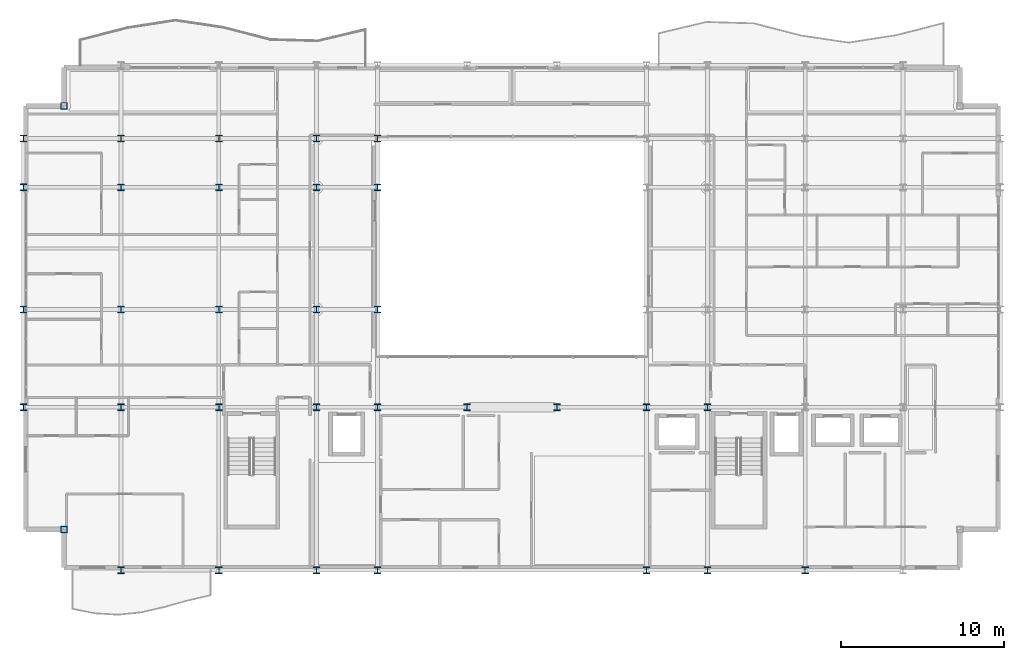
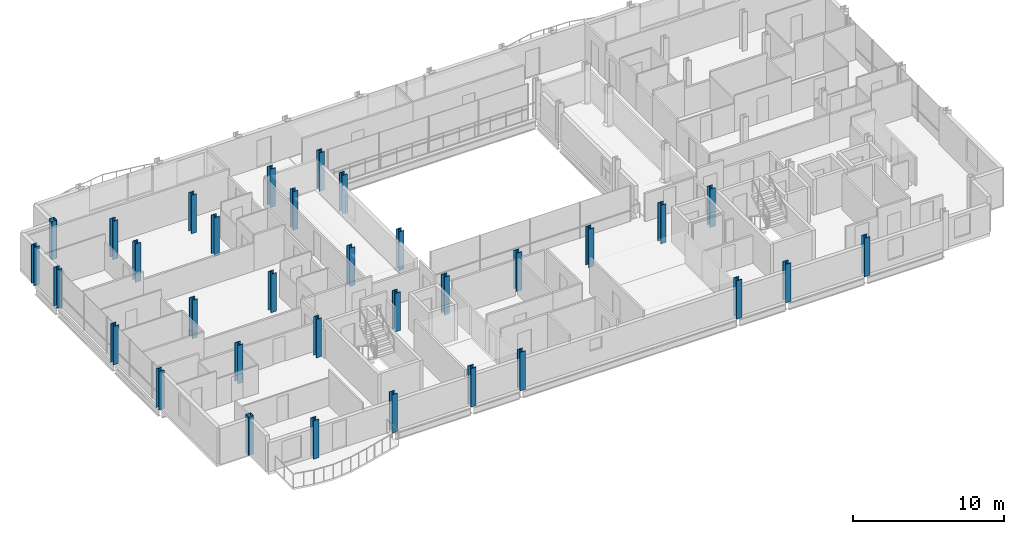
# One storey, part 1 of 41: 33 columns.
"""IFC4 building model written with IfcOpenShell, lengths in metres."""

from ifc_helpers import new_model, si_unit, direction, frame, origin, origin_2d, place, context, subcontext, project, spatial, hollow_rectangle, i_section, extrude, material, material_profile, profile_set, type_object, element, save


model = new_model("IFC4")

# Units and contexts
model_context = context("Model", 3, precision=1e-05, world=origin(), true_north=direction((0.0, 1.0)))
body_context = subcontext(model_context, "Body", "Model", "MODEL_VIEW")
ifc_project = project(units=[si_unit("LENGTHUNIT", "METRE"), si_unit("AREAUNIT", "SQUARE_METRE"), si_unit("VOLUMEUNIT", "CUBIC_METRE"), si_unit("PLANEANGLEUNIT", "RADIAN"), si_unit("MASSUNIT", "GRAM", prefix="KILO")], contexts=[model_context])

# Site, building, storey
site_placement = place(None, origin())
site = spatial("IfcSite", under=ifc_project, at=site_placement, CompositionType="ELEMENT")
building_placement = place(site_placement, origin())
building = spatial("IfcBuilding", under=site, at=building_placement, Name="Brevholm Reach", CompositionType="ELEMENT")
storey_placement = place(building_placement, frame((0.0, 0.0, 169.699951171875)))
storey = spatial("IfcBuildingStorey", under=building, at=storey_placement, Name="L51", CompositionType="ELEMENT", Elevation=169.699951171875)

# Columns
ifc_material_1 = material(Name="Structural Steel S460NH", Category="steel")
ifc_material_profile_1 = material_profile(ifc_material_1, hollow_rectangle(XDim=0.39990234375, YDim=0.39990234375, WallThickness=0.02001953125, InnerFilletRadius=0.011962890625, OuterFilletRadius=0.02392578125, at=origin_2d()), Name="SHS 400x400x20")
ifc_profile_set_1 = profile_set([ifc_material_profile_1], Name="Structural Steel S460NH")
column_type_1 = type_object("IfcColumnType", Name="COL-SHS2", PredefinedType="COLUMN", material=ifc_profile_set_1)
for number, where, z_axis, x_axis, name in (
    (1, (2.5, 2.5, 0.0), (0.0, 0.0, 1.0), (1.0, 0.0, 0.0), "L51 Column 05"),
    (2, (2.5, 28.5, 0.0), (0.0, 0.0, 1.0), (1.0, 0.0, 0.0), "L51 Column 06"),
):
    element("IfcColumn", number, at=place(storey_placement, frame(where, z_axis=z_axis, x_axis=x_axis)), inside=storey, type_object=column_type_1, Name=name, PredefinedType="COLUMN", context=body_context, shape_type="SweptSolid", body=[
        extrude(hollow_rectangle(XDim=0.39990234375, YDim=0.39990234375, WallThickness=0.02001953125, InnerFilletRadius=0.011962890625, OuterFilletRadius=0.02392578125, at=origin_2d()), origin(), (0.0, 0.0, 1.0), 3.10009765625),
    ])
ifc_material_2 = material(Name="Structural Steel S355J2", Category="steel")
ifc_material_profile_2 = material_profile(ifc_material_2, i_section(OverallWidth=0.406982421875, OverallDepth=0.4189453125, WebThickness=0.030517578125, FlangeThickness=0.04931640625, FilletRadius=0.01513671875, at=origin_2d()), Name="UKC 356x406x393")
ifc_profile_set_2 = profile_set([ifc_material_profile_2], Name="Structural Steel S355J2")
column_type_2 = type_object("IfcColumnType", Name="COL-UC4", PredefinedType="COLUMN", material=ifc_profile_set_2)
for number, where, z_axis, x_axis, name in (
    (3, (0.0, 10.0, 0.0), (0.0, 0.0, 1.0), (1.0, 0.0, 0.0), "L51 Column 01"),
    (4, (0.0, 16.0, 0.0), (0.0, 0.0, 1.0), (1.0, 0.0, 0.0), "L51 Column 02"),
    (5, (0.0, 23.5, 0.0), (0.0, 0.0, 1.0), (1.0, 0.0, 0.0), "L51 Column 03"),
    (6, (0.0, 26.5, 0.0), (0.0, 0.0, 1.0), (1.0, 0.0, 0.0), "L51 Column 04"),
    (7, (6.0, 0.0, 0.0), (0.0, 0.0, 1.0), (1.0, 0.0, 0.0), "L51 Column 07"),
    (8, (12.0, 0.0, 0.0), (0.0, 0.0, 1.0), (1.0, 0.0, 0.0), "L51 Column 13"),
    (9, (18.0, 0.0, 0.0), (0.0, 0.0, 1.0), (1.0, 0.0, 0.0), "L51 Column 19"),
    (10, (21.75, 0.0, 0.0), (0.0, 0.0, 1.0), (1.0, 0.0, 0.0), "L51 Column 25"),
    (11, (38.25, 0.0, 0.0), (0.0, 0.0, 1.0), (1.0, 0.0, 0.0), "L51 Column 35"),
    (12, (42.0, 0.0, 0.0), (0.0, 0.0, 1.0), (1.0, 0.0, 0.0), "L51 Column 41"),
    (13, (48.0, 0.0, 0.0), (0.0, 0.0, 1.0), (1.0, 0.0, 0.0), "L51 Column 47"),
):
    element("IfcColumn", number, at=place(storey_placement, frame(where, z_axis=z_axis, x_axis=x_axis)), inside=storey, type_object=column_type_2, Name=name, PredefinedType="COLUMN", context=body_context, shape_type="SweptSolid", body=[
        extrude(i_section(OverallWidth=0.406982421875, OverallDepth=0.4189453125, WebThickness=0.030517578125, FlangeThickness=0.04931640625, FilletRadius=0.01513671875, at=origin_2d()), origin(), (0.0, 0.0, 1.0), 3.10009765625),
    ])
ifc_material_3 = material(Name="Structural Steel S355J2", Category="steel")
ifc_material_profile_3 = material_profile(ifc_material_3, i_section(OverallWidth=0.403076171875, OverallDepth=0.406494140625, WebThickness=0.026611328125, FlangeThickness=0.04296875, FilletRadius=0.01513671875, at=origin_2d()), Name="UKC 356x406x340")
ifc_profile_set_3 = profile_set([ifc_material_profile_3], Name="Structural Steel S355J2")
column_type_3 = type_object("IfcColumnType", Name="COL-UC5", PredefinedType="COLUMN", material=ifc_profile_set_3)
for number, where, z_axis, x_axis, name in (
    (14, (6.0, 10.0, 0.0), (0.0, 0.0, 1.0), (1.0, 0.0, 0.0), "L51 Column 08"),
    (15, (6.0, 16.0, 0.0), (0.0, 0.0, 1.0), (1.0, 0.0, 0.0), "L51 Column 09"),
    (16, (6.0, 23.5, 0.0), (0.0, 0.0, 1.0), (1.0, 0.0, 0.0), "L51 Column 10"),
    (17, (6.0, 26.5, 0.0), (0.0, 0.0, 1.0), (1.0, 0.0, 0.0), "L51 Column 11"),
    (18, (12.0, 10.0, 0.0), (0.0, 0.0, 1.0), (1.0, 0.0, 0.0), "L51 Column 14"),
    (19, (12.0, 16.0, 0.0), (0.0, 0.0, 1.0), (1.0, 0.0, 0.0), "L51 Column 15"),
    (20, (12.0, 23.5, 0.0), (0.0, 0.0, 1.0), (1.0, 0.0, 0.0), "L51 Column 16"),
    (21, (12.0, 26.5, 0.0), (0.0, 0.0, 1.0), (1.0, 0.0, 0.0), "L51 Column 17"),
    (22, (18.0, 10.0, 0.0), (0.0, 0.0, 1.0), (1.0, 0.0, 0.0), "L51 Column 20"),
    (23, (18.0, 16.0, 0.0), (0.0, 0.0, 1.0), (1.0, 0.0, 0.0), "L51 Column 21"),
    (24, (18.0, 23.5, 0.0), (0.0, 0.0, 1.0), (1.0, 0.0, 0.0), "L51 Column 22"),
    (25, (18.0, 26.5, 0.0), (0.0, 0.0, 1.0), (1.0, 0.0, 0.0), "L51 Column 23"),
    (26, (21.75, 10.0, 0.0), (0.0, 0.0, 1.0), (1.0, 0.0, 0.0), "L51 Column 26"),
    (27, (21.75, 16.0, 0.0), (0.0, 0.0, 1.0), (1.0, 0.0, 0.0), "L51 Column 27"),
    (28, (21.75, 23.5, 0.0), (0.0, 0.0, 1.0), (1.0, 0.0, 0.0), "L51 Column 28"),
    (29, (21.75, 26.5, 0.0), (0.0, 0.0, 1.0), (1.0, 0.0, 0.0), "L51 Column 29"),
    (30, (27.25, 10.0, 0.0), (0.0, 0.0, 1.0), (1.0, 0.0, 0.0), "L51 Column 31"),
    (31, (32.75, 10.0, 0.0), (0.0, 0.0, 1.0), (1.0, 0.0, 0.0), "L51 Column 33"),
    (32, (38.25, 10.0, 0.0), (0.0, 0.0, 1.0), (1.0, 0.0, 0.0), "L51 Column 36"),
    (33, (42.0, 10.0, 0.0), (0.0, 0.0, 1.0), (1.0, 0.0, 0.0), "L51 Column 42"),
):
    element("IfcColumn", number, at=place(storey_placement, frame(where, z_axis=z_axis, x_axis=x_axis)), inside=storey, type_object=column_type_3, Name=name, PredefinedType="COLUMN", context=body_context, shape_type="SweptSolid", body=[
        extrude(i_section(OverallWidth=0.403076171875, OverallDepth=0.406494140625, WebThickness=0.026611328125, FlangeThickness=0.04296875, FilletRadius=0.01513671875, at=origin_2d()), origin(), (0.0, 0.0, 1.0), 3.10009765625),
    ])

save(model, "model.ifc")
